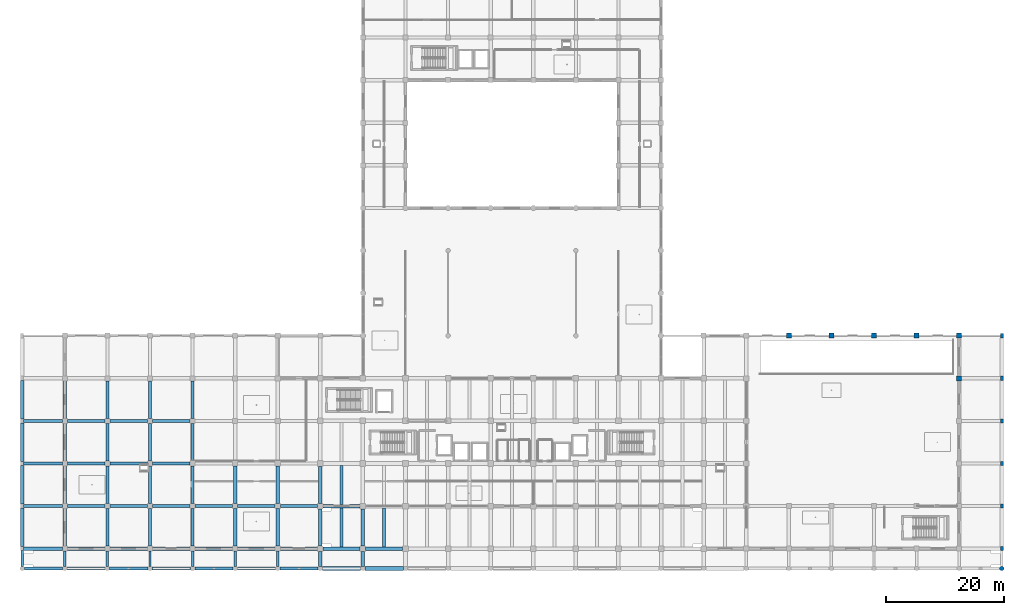
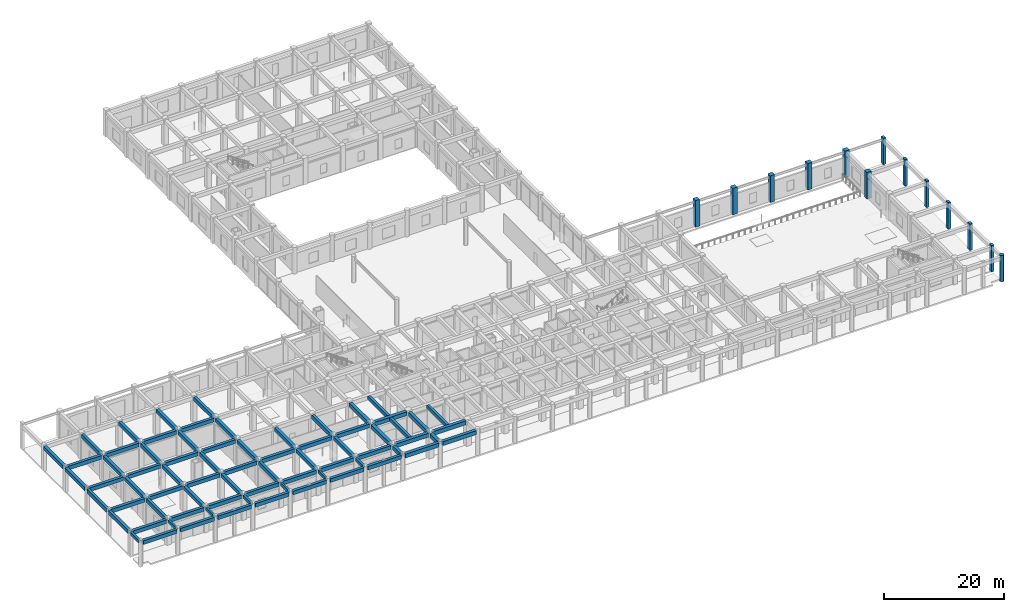
# One storey, part 3 of 56: 73 beams, 13 columns.
"""IFC4 building model written with IfcOpenShell, lengths in metres."""

from ifc_helpers import new_model, si_unit, direction, frame, origin, origin_2d, place, context, subcontext, project, spatial, rectangle, circle, extrude, material, material_profile, profile_set, type_object, element, save


model = new_model("IFC4")

# Units and contexts
model_context = context("Model", 3, precision=1e-05, world=origin(), true_north=direction((0.0, 1.0)))
body_context = subcontext(model_context, "Body", "Model", "MODEL_VIEW")
ifc_project = project(units=[si_unit("LENGTHUNIT", "METRE"), si_unit("AREAUNIT", "SQUARE_METRE"), si_unit("VOLUMEUNIT", "CUBIC_METRE"), si_unit("PLANEANGLEUNIT", "RADIAN"), si_unit("MASSUNIT", "GRAM", prefix="KILO")], contexts=[model_context])

# Site, building, storey
site_placement = place(None, origin())
site = spatial("IfcSite", under=ifc_project, at=site_placement, CompositionType="ELEMENT")
building_placement = place(site_placement, origin())
building = spatial("IfcBuilding", under=site, at=building_placement, Name="Kazehaya Institute of Natural Sciences", CompositionType="ELEMENT")
storey_placement = place(building_placement, origin())
storey = spatial("IfcBuildingStorey", under=building, at=storey_placement, Name="L00", CompositionType="ELEMENT", Elevation=0.0)

# Columns
ifc_material_1 = material(Name="Concrete Fc36", Category="concrete")
ifc_material_profile_1 = material_profile(ifc_material_1, circle(Radius=0.375, at=origin_2d()), Name="RC-DIA750")
ifc_profile_set_1 = profile_set([ifc_material_profile_1], Name="Concrete Fc36")
column_type_1 = type_object("IfcColumnType", Name="COL-DIA750", PredefinedType="COLUMN", material=ifc_profile_set_1)
column_placement = place(storey_placement, frame((169.800048828125, 3.449951171875, 0.0), z_axis=(0.0, 0.0, 1.0), x_axis=(1.0, 0.0, 0.0)))
element("IfcColumn", 1, at=column_placement, inside=storey, type_object=column_type_1, Name="L00 column COL-L00-0264", PredefinedType="COLUMN", context=body_context, shape_type="SweptSolid", body=[
    extrude(circle(Radius=0.375, at=origin_2d()), origin(), (0.0, 0.0, 1.0), 5.39990234375),
])
ifc_material_profile_2 = material_profile(ifc_material_1, rectangle(XDim=0.5, YDim=0.699951171875, at=origin_2d()), Name="RC-700x500")
ifc_profile_set_2 = profile_set([ifc_material_profile_2], Name="Concrete Fc36")
column_type_2 = type_object("IfcColumnType", Name="COL-RC700x500", PredefinedType="COLUMN", material=ifc_profile_set_2)
for number, where, z_axis, x_axis, name in (
    (2, (169.800048828125, 6.800048828125, 0.0), (0.0, 0.0, 1.0), (1.0, 0.0, 0.0), "L00 column COL-L00-0288"),
    (3, (169.800048828125, 14.0, 0.0), (0.0, 0.0, 1.0), (1.0, 0.0, 0.0), "L00 column COL-L00-0312"),
    (4, (169.800048828125, 21.199951171875, 0.0), (0.0, 0.0, 1.0), (1.0, 0.0, 0.0), "L00 column COL-L00-0332"),
    (5, (169.800048828125, 28.39990234375, 0.0), (0.0, 0.0, 1.0), (1.0, 0.0, 0.0), "L00 column COL-L00-0352"),
    (6, (169.800048828125, 35.60009765625, 0.0), (0.0, 0.0, 1.0), (1.0, 0.0, 0.0), "L00 column COL-L00-0372"),
    (7, (169.800048828125, 42.800048828125, 0.0), (0.0, 0.0, 1.0), (1.0, 0.0, 0.0), "L00 column COL-L00-0390"),
):
    element("IfcColumn", number, at=place(storey_placement, frame(where, z_axis=z_axis, x_axis=x_axis)), inside=storey, type_object=column_type_2, Name=name, PredefinedType="COLUMN", context=body_context, shape_type="SweptSolid", body=[
        extrude(rectangle(XDim=0.5, YDim=0.699951171875, at=origin_2d()), origin(), (0.0, 0.0, 1.0), 5.39990234375),
    ])
ifc_material_2 = material(Name="Concrete Fc42", Category="concrete")
ifc_material_profile_3 = material_profile(ifc_material_2, rectangle(XDim=0.85009765625, YDim=0.85009765625, at=origin_2d()), Name="RC-850x850")
ifc_profile_set_3 = profile_set([ifc_material_profile_3], Name="Concrete Fc42")
column_type_3 = type_object("IfcColumnType", Name="COL-RC850", PredefinedType="COLUMN", material=ifc_profile_set_3)
for number, where, z_axis, x_axis, name in (
    (8, (162.60009765625, 35.60009765625, 0.0), (0.0, 0.0, 1.0), (1.0, 0.0, 0.0), "L00 column COL-L00-0371"),
    (9, (133.800048828125, 42.800048828125, 0.0), (0.0, 0.0, 1.0), (1.0, 0.0, 0.0), "L00 column COL-L00-0385"),
    (10, (141.0, 42.800048828125, 0.0), (0.0, 0.0, 1.0), (1.0, 0.0, 0.0), "L00 column COL-L00-0386"),
    (11, (148.199951171875, 42.800048828125, 0.0), (0.0, 0.0, 1.0), (1.0, 0.0, 0.0), "L00 column COL-L00-0387"),
    (12, (155.39990234375, 42.800048828125, 0.0), (0.0, 0.0, 1.0), (1.0, 0.0, 0.0), "L00 column COL-L00-0388"),
    (13, (162.60009765625, 42.800048828125, 0.0), (0.0, 0.0, 1.0), (1.0, 0.0, 0.0), "L00 column COL-L00-0389"),
):
    element("IfcColumn", number, at=place(storey_placement, frame(where, z_axis=z_axis, x_axis=x_axis)), inside=storey, type_object=column_type_3, Name=name, PredefinedType="COLUMN", context=body_context, shape_type="SweptSolid", body=[
        extrude(rectangle(XDim=0.85009765625, YDim=0.85009765625, at=origin_2d()), origin(), (0.0, 0.0, 1.0), 5.39990234375),
    ])

# Beams
ifc_material_profile_4 = material_profile(ifc_material_1, rectangle(XDim=0.39990234375, YDim=0.60009765625, at=origin_2d()), Name="RC-400x600")
ifc_profile_set_4 = profile_set([ifc_material_profile_4], Name="Concrete Fc36")
beam_type_1 = type_object("IfcBeamType", Name="BM-B-400x600", PredefinedType="BEAM", material=ifc_profile_set_4)
beam_1_placement = place(storey_placement, frame((4.199951171875, 3.824951171875, 4.830078125), z_axis=(0.0, 1.0, 0.0), x_axis=(-1.0, 0.0, 0.0)))
element("IfcBeam", 14, at=beam_1_placement, inside=storey, type_object=beam_type_1, Name="L00 primary Y girder BMY-L00-42-34", PredefinedType="BEAM", context=body_context, shape_type="SweptSolid", body=[
    extrude(rectangle(XDim=0.39990234375, YDim=0.60009765625, at=origin_2d()), origin(), (0.0, 0.0, 1.0), 2.625),
])
for number, where, z_axis, x_axis, name in (
    (15, (11.39990234375, 3.824951171875, 4.830078125), (0.0, 1.0, 0.0), (-1.0, 0.0, 0.0), "L00 primary Y girder BMY-L00-114-34"),
    (16, (18.60009765625, 3.824951171875, 4.830078125), (0.0, 1.0, 0.0), (-1.0, 0.0, 0.0), "L00 primary Y girder BMY-L00-186-34"),
    (17, (25.800048828125, 3.824951171875, 4.830078125), (0.0, 1.0, 0.0), (-1.0, 0.0, 0.0), "L00 primary Y girder BMY-L00-258-34"),
    (18, (33.0, 3.824951171875, 4.830078125), (0.0, 1.0, 0.0), (-1.0, 0.0, 0.0), "L00 primary Y girder BMY-L00-330-34"),
    (19, (40.199951171875, 3.824951171875, 4.830078125), (0.0, 1.0, 0.0), (-1.0, 0.0, 0.0), "L00 primary Y girder BMY-L00-402-34"),
    (20, (47.39990234375, 3.824951171875, 4.830078125), (0.0, 1.0, 0.0), (-1.0, 0.0, 0.0), "L00 primary Y girder BMY-L00-474-34"),
):
    element("IfcBeam", number, at=place(storey_placement, frame(where, z_axis=z_axis, x_axis=x_axis)), inside=storey, type_object=beam_type_1, Name=name, PredefinedType="BEAM", context=body_context, shape_type="SweptSolid", body=[
        extrude(rectangle(XDim=0.39990234375, YDim=0.60009765625, at=origin_2d()), origin(), (0.0, 0.0, 1.0), 2.550048828125),
    ])
ifc_material_profile_5 = material_profile(ifc_material_1, rectangle(XDim=0.550048828125, YDim=0.75, at=origin_2d()), Name="RC-550x750")
ifc_profile_set_5 = profile_set([ifc_material_profile_5], Name="Concrete Fc36")
beam_type_2 = type_object("IfcBeamType", Name="BM-G-550x750", PredefinedType="BEAM", material=ifc_profile_set_5)
beam_2_placement = place(storey_placement, frame((4.574951171875, 3.449951171875, 4.7548828125), z_axis=(1.0, 0.0, 0.0), x_axis=(0.0, 1.0, 0.0)))
element("IfcBeam", 21, at=beam_2_placement, inside=storey, type_object=beam_type_2, Name="L00 primary X girder BMX-L00-42-34", PredefinedType="BEAM", context=body_context, shape_type="SweptSolid", body=[
    extrude(rectangle(XDim=0.550048828125, YDim=0.75, at=origin_2d()), origin(), (0.0, 0.0, 1.0), 6.449951171875),
])
beam_3_placement = place(storey_placement, frame((11.77490234375, 3.449951171875, 4.7548828125), z_axis=(1.0, 0.0, 0.0), x_axis=(0.0, 1.0, 0.0)))
element("IfcBeam", 22, at=beam_3_placement, inside=storey, type_object=beam_type_2, Name="L00 primary X girder BMX-L00-114-34", PredefinedType="BEAM", context=body_context, shape_type="SweptSolid", body=[
    extrude(rectangle(XDim=0.550048828125, YDim=0.75, at=origin_2d()), origin(), (0.0, 0.0, 1.0), 6.4501953125),
])
for number, where, z_axis, x_axis, name in (
    (23, (18.97509765625, 3.449951171875, 4.7548828125), (1.0, 0.0, 0.0), (0.0, 1.0, 0.0), "L00 primary X girder BMX-L00-186-34"),
    (24, (26.175048828125, 3.449951171875, 4.7548828125), (1.0, 0.0, 0.0), (0.0, 1.0, 0.0), "L00 primary X girder BMX-L00-258-34"),
    (25, (33.375, 3.449951171875, 4.7548828125), (1.0, 0.0, 0.0), (0.0, 1.0, 0.0), "L00 primary X girder BMX-L00-330-34"),
    (26, (40.574951171875, 3.449951171875, 4.7548828125), (1.0, 0.0, 0.0), (0.0, 1.0, 0.0), "L00 primary X girder BMX-L00-402-34"),
):
    element("IfcBeam", number, at=place(storey_placement, frame(where, z_axis=z_axis, x_axis=x_axis)), inside=storey, type_object=beam_type_2, Name=name, PredefinedType="BEAM", context=body_context, shape_type="SweptSolid", body=[
        extrude(rectangle(XDim=0.550048828125, YDim=0.75, at=origin_2d()), origin(), (0.0, 0.0, 1.0), 6.449951171875),
    ])
beam_4_placement = place(storey_placement, frame((47.77490234375, 3.449951171875, 4.7548828125), z_axis=(1.0, 0.0, 0.0), x_axis=(0.0, 1.0, 0.0)))
element("IfcBeam", 27, at=beam_4_placement, inside=storey, type_object=beam_type_2, Name="L00 primary X girder BMX-L00-474-34", PredefinedType="BEAM", context=body_context, shape_type="SweptSolid", body=[
    extrude(rectangle(XDim=0.550048828125, YDim=0.75, at=origin_2d()), origin(), (0.0, 0.0, 1.0), 6.4501953125),
])
beam_5_placement = place(storey_placement, frame((4.449951171875, 6.800048828125, 4.7548828125), z_axis=(1.0, 0.0, 0.0), x_axis=(0.0, 1.0, 0.0)))
element("IfcBeam", 28, at=beam_5_placement, inside=storey, type_object=beam_type_2, Name="L00 primary X girder BMX-L00-42-68", PredefinedType="BEAM", context=body_context, shape_type="SweptSolid", body=[
    extrude(rectangle(XDim=0.550048828125, YDim=0.75, at=origin_2d()), origin(), (0.0, 0.0, 1.0), 6.525146484375),
])
for number, where, z_axis, x_axis, name in (
    (29, (11.824951171875, 6.800048828125, 4.7548828125), (1.0, 0.0, 0.0), (0.0, 1.0, 0.0), "L00 primary X girder BMX-L00-114-68"),
    (30, (19.02490234375, 6.800048828125, 4.7548828125), (1.0, 0.0, 0.0), (0.0, 1.0, 0.0), "L00 primary X girder BMX-L00-186-68"),
):
    element("IfcBeam", number, at=place(storey_placement, frame(where, z_axis=z_axis, x_axis=x_axis)), inside=storey, type_object=beam_type_2, Name=name, PredefinedType="BEAM", context=body_context, shape_type="SweptSolid", body=[
        extrude(rectangle(XDim=0.550048828125, YDim=0.75, at=origin_2d()), origin(), (0.0, 0.0, 1.0), 6.35009765625),
    ])
for number, where, z_axis, x_axis, name in (
    (31, (26.22509765625, 6.800048828125, 4.7548828125), (1.0, 0.0, 0.0), (0.0, 1.0, 0.0), "L00 primary X girder BMX-L00-258-68"),
    (32, (33.425048828125, 6.800048828125, 4.7548828125), (1.0, 0.0, 0.0), (0.0, 1.0, 0.0), "L00 primary X girder BMX-L00-330-68"),
):
    element("IfcBeam", number, at=place(storey_placement, frame(where, z_axis=z_axis, x_axis=x_axis)), inside=storey, type_object=beam_type_2, Name=name, PredefinedType="BEAM", context=body_context, shape_type="SweptSolid", body=[
        extrude(rectangle(XDim=0.550048828125, YDim=0.75, at=origin_2d()), origin(), (0.0, 0.0, 1.0), 6.349853515625),
    ])
beam_6_placement = place(storey_placement, frame((40.625, 6.800048828125, 4.7548828125), z_axis=(1.0, 0.0, 0.0), x_axis=(0.0, 1.0, 0.0)))
element("IfcBeam", 33, at=beam_6_placement, inside=storey, type_object=beam_type_2, Name="L00 primary X girder BMX-L00-402-68", PredefinedType="BEAM", context=body_context, shape_type="SweptSolid", body=[
    extrude(rectangle(XDim=0.550048828125, YDim=0.75, at=origin_2d()), origin(), (0.0, 0.0, 1.0), 6.35009765625),
])
beam_7_placement = place(storey_placement, frame((47.824951171875, 6.800048828125, 4.7548828125), z_axis=(1.0, 0.0, 0.0), x_axis=(0.0, 1.0, 0.0)))
element("IfcBeam", 34, at=beam_7_placement, inside=storey, type_object=beam_type_2, Name="L00 primary X girder BMX-L00-474-68", PredefinedType="BEAM", context=body_context, shape_type="SweptSolid", body=[
    extrude(rectangle(XDim=0.550048828125, YDim=0.75, at=origin_2d()), origin(), (0.0, 0.0, 1.0), 6.300048828125),
])
beam_8_placement = place(storey_placement, frame((4.449951171875, 14.0, 4.7548828125), z_axis=(1.0, 0.0, 0.0), x_axis=(0.0, 1.0, 0.0)))
element("IfcBeam", 35, at=beam_8_placement, inside=storey, type_object=beam_type_2, Name="L00 primary X girder BMX-L00-42-140", PredefinedType="BEAM", context=body_context, shape_type="SweptSolid", body=[
    extrude(rectangle(XDim=0.550048828125, YDim=0.75, at=origin_2d()), origin(), (0.0, 0.0, 1.0), 6.525146484375),
])
for number, where, z_axis, x_axis, name in (
    (36, (11.824951171875, 14.0, 4.7548828125), (1.0, 0.0, 0.0), (0.0, 1.0, 0.0), "L00 primary X girder BMX-L00-114-140"),
    (37, (19.02490234375, 14.0, 4.7548828125), (1.0, 0.0, 0.0), (0.0, 1.0, 0.0), "L00 primary X girder BMX-L00-186-140"),
):
    element("IfcBeam", number, at=place(storey_placement, frame(where, z_axis=z_axis, x_axis=x_axis)), inside=storey, type_object=beam_type_2, Name=name, PredefinedType="BEAM", context=body_context, shape_type="SweptSolid", body=[
        extrude(rectangle(XDim=0.550048828125, YDim=0.75, at=origin_2d()), origin(), (0.0, 0.0, 1.0), 6.35009765625),
    ])
for number, where, z_axis, x_axis, name in (
    (38, (26.22509765625, 14.0, 4.7548828125), (1.0, 0.0, 0.0), (0.0, 1.0, 0.0), "L00 primary X girder BMX-L00-258-140"),
    (39, (33.425048828125, 14.0, 4.7548828125), (1.0, 0.0, 0.0), (0.0, 1.0, 0.0), "L00 primary X girder BMX-L00-330-140"),
):
    element("IfcBeam", number, at=place(storey_placement, frame(where, z_axis=z_axis, x_axis=x_axis)), inside=storey, type_object=beam_type_2, Name=name, PredefinedType="BEAM", context=body_context, shape_type="SweptSolid", body=[
        extrude(rectangle(XDim=0.550048828125, YDim=0.75, at=origin_2d()), origin(), (0.0, 0.0, 1.0), 6.349853515625),
    ])
beam_9_placement = place(storey_placement, frame((40.625, 14.0, 4.7548828125), z_axis=(1.0, 0.0, 0.0), x_axis=(0.0, 1.0, 0.0)))
element("IfcBeam", 40, at=beam_9_placement, inside=storey, type_object=beam_type_2, Name="L00 primary X girder BMX-L00-402-140", PredefinedType="BEAM", context=body_context, shape_type="SweptSolid", body=[
    extrude(rectangle(XDim=0.550048828125, YDim=0.75, at=origin_2d()), origin(), (0.0, 0.0, 1.0), 6.35009765625),
])
beam_10_placement = place(storey_placement, frame((47.824951171875, 14.0, 4.7548828125), z_axis=(1.0, 0.0, 0.0), x_axis=(0.0, 1.0, 0.0)))
element("IfcBeam", 41, at=beam_10_placement, inside=storey, type_object=beam_type_2, Name="L00 primary X girder BMX-L00-474-140", PredefinedType="BEAM", context=body_context, shape_type="SweptSolid", body=[
    extrude(rectangle(XDim=0.550048828125, YDim=0.75, at=origin_2d()), origin(), (0.0, 0.0, 1.0), 6.300048828125),
])
beam_11_placement = place(storey_placement, frame((4.449951171875, 21.199951171875, 4.7548828125), z_axis=(1.0, 0.0, 0.0), x_axis=(0.0, 1.0, 0.0)))
element("IfcBeam", 42, at=beam_11_placement, inside=storey, type_object=beam_type_2, Name="L00 primary X girder BMX-L00-42-212", PredefinedType="BEAM", context=body_context, shape_type="SweptSolid", body=[
    extrude(rectangle(XDim=0.550048828125, YDim=0.75, at=origin_2d()), origin(), (0.0, 0.0, 1.0), 6.525146484375),
])
for number, where, z_axis, x_axis, name in (
    (43, (11.824951171875, 21.199951171875, 4.7548828125), (1.0, 0.0, 0.0), (0.0, 1.0, 0.0), "L00 primary X girder BMX-L00-114-212"),
    (44, (19.02490234375, 21.199951171875, 4.7548828125), (1.0, 0.0, 0.0), (0.0, 1.0, 0.0), "L00 primary X girder BMX-L00-186-212"),
):
    element("IfcBeam", number, at=place(storey_placement, frame(where, z_axis=z_axis, x_axis=x_axis)), inside=storey, type_object=beam_type_2, Name=name, PredefinedType="BEAM", context=body_context, shape_type="SweptSolid", body=[
        extrude(rectangle(XDim=0.550048828125, YDim=0.75, at=origin_2d()), origin(), (0.0, 0.0, 1.0), 6.35009765625),
    ])
beam_12_placement = place(storey_placement, frame((26.22509765625, 21.199951171875, 4.7548828125), z_axis=(1.0, 0.0, 0.0), x_axis=(0.0, 1.0, 0.0)))
element("IfcBeam", 45, at=beam_12_placement, inside=storey, type_object=beam_type_2, Name="L00 primary X girder BMX-L00-258-212", PredefinedType="BEAM", context=body_context, shape_type="SweptSolid", body=[
    extrude(rectangle(XDim=0.550048828125, YDim=0.75, at=origin_2d()), origin(), (0.0, 0.0, 1.0), 6.349853515625),
])
beam_13_placement = place(storey_placement, frame((4.449951171875, 28.39990234375, 4.7548828125), z_axis=(1.0, 0.0, 0.0), x_axis=(0.0, 1.0, 0.0)))
element("IfcBeam", 46, at=beam_13_placement, inside=storey, type_object=beam_type_2, Name="L00 primary X girder BMX-L00-42-284", PredefinedType="BEAM", context=body_context, shape_type="SweptSolid", body=[
    extrude(rectangle(XDim=0.550048828125, YDim=0.75, at=origin_2d()), origin(), (0.0, 0.0, 1.0), 6.525146484375),
])
for number, where, z_axis, x_axis, name in (
    (47, (11.824951171875, 28.39990234375, 4.7548828125), (1.0, 0.0, 0.0), (0.0, 1.0, 0.0), "L00 primary X girder BMX-L00-114-284"),
    (48, (19.02490234375, 28.39990234375, 4.7548828125), (1.0, 0.0, 0.0), (0.0, 1.0, 0.0), "L00 primary X girder BMX-L00-186-284"),
):
    element("IfcBeam", number, at=place(storey_placement, frame(where, z_axis=z_axis, x_axis=x_axis)), inside=storey, type_object=beam_type_2, Name=name, PredefinedType="BEAM", context=body_context, shape_type="SweptSolid", body=[
        extrude(rectangle(XDim=0.550048828125, YDim=0.75, at=origin_2d()), origin(), (0.0, 0.0, 1.0), 6.35009765625),
    ])
beam_14_placement = place(storey_placement, frame((26.22509765625, 28.39990234375, 4.7548828125), z_axis=(1.0, 0.0, 0.0), x_axis=(0.0, 1.0, 0.0)))
element("IfcBeam", 49, at=beam_14_placement, inside=storey, type_object=beam_type_2, Name="L00 primary X girder BMX-L00-258-284", PredefinedType="BEAM", context=body_context, shape_type="SweptSolid", body=[
    extrude(rectangle(XDim=0.550048828125, YDim=0.75, at=origin_2d()), origin(), (0.0, 0.0, 1.0), 6.349853515625),
])
for number, where, z_axis, x_axis, name in (
    (50, (4.199951171875, 7.14990234375, 4.7548828125), (0.0, 1.0, 0.0), (-1.0, 0.0, 0.0), "L00 primary Y girder BMY-L00-42-68"),
    (51, (4.199951171875, 14.35009765625, 4.7548828125), (0.0, 1.0, 0.0), (-1.0, 0.0, 0.0), "L00 primary Y girder BMY-L00-42-140"),
    (52, (4.199951171875, 21.550048828125, 4.7548828125), (0.0, 1.0, 0.0), (-1.0, 0.0, 0.0), "L00 primary Y girder BMY-L00-42-212"),
    (53, (4.199951171875, 28.75, 4.7548828125), (0.0, 1.0, 0.0), (-1.0, 0.0, 0.0), "L00 primary Y girder BMY-L00-42-284"),
):
    element("IfcBeam", number, at=place(storey_placement, frame(where, z_axis=z_axis, x_axis=x_axis)), inside=storey, type_object=beam_type_2, Name=name, PredefinedType="BEAM", context=body_context, shape_type="SweptSolid", body=[
        extrude(rectangle(XDim=0.550048828125, YDim=0.75, at=origin_2d()), origin(), (0.0, 0.0, 1.0), 6.5),
    ])
for number, where, z_axis, x_axis, name in (
    (54, (11.39990234375, 7.22509765625, 4.7548828125), (0.0, 1.0, 0.0), (-1.0, 0.0, 0.0), "L00 primary Y girder BMY-L00-114-68"),
    (55, (11.39990234375, 14.425048828125, 4.7548828125), (0.0, 1.0, 0.0), (-1.0, 0.0, 0.0), "L00 primary Y girder BMY-L00-114-140"),
):
    element("IfcBeam", number, at=place(storey_placement, frame(where, z_axis=z_axis, x_axis=x_axis)), inside=storey, type_object=beam_type_2, Name=name, PredefinedType="BEAM", context=body_context, shape_type="SweptSolid", body=[
        extrude(rectangle(XDim=0.550048828125, YDim=0.75, at=origin_2d()), origin(), (0.0, 0.0, 1.0), 6.349853515625),
    ])
for number, where, z_axis, x_axis, name in (
    (56, (11.39990234375, 21.625, 4.7548828125), (0.0, 1.0, 0.0), (-1.0, 0.0, 0.0), "L00 primary Y girder BMY-L00-114-212"),
    (57, (11.39990234375, 28.824951171875, 4.7548828125), (0.0, 1.0, 0.0), (-1.0, 0.0, 0.0), "L00 primary Y girder BMY-L00-114-284"),
):
    element("IfcBeam", number, at=place(storey_placement, frame(where, z_axis=z_axis, x_axis=x_axis)), inside=storey, type_object=beam_type_2, Name=name, PredefinedType="BEAM", context=body_context, shape_type="SweptSolid", body=[
        extrude(rectangle(XDim=0.550048828125, YDim=0.75, at=origin_2d()), origin(), (0.0, 0.0, 1.0), 6.35009765625),
    ])
for number, where, z_axis, x_axis, name in (
    (58, (18.60009765625, 7.22509765625, 4.7548828125), (0.0, 1.0, 0.0), (-1.0, 0.0, 0.0), "L00 primary Y girder BMY-L00-186-68"),
    (59, (18.60009765625, 14.425048828125, 4.7548828125), (0.0, 1.0, 0.0), (-1.0, 0.0, 0.0), "L00 primary Y girder BMY-L00-186-140"),
):
    element("IfcBeam", number, at=place(storey_placement, frame(where, z_axis=z_axis, x_axis=x_axis)), inside=storey, type_object=beam_type_2, Name=name, PredefinedType="BEAM", context=body_context, shape_type="SweptSolid", body=[
        extrude(rectangle(XDim=0.550048828125, YDim=0.75, at=origin_2d()), origin(), (0.0, 0.0, 1.0), 6.349853515625),
    ])
for number, where, z_axis, x_axis, name in (
    (60, (18.60009765625, 21.625, 4.7548828125), (0.0, 1.0, 0.0), (-1.0, 0.0, 0.0), "L00 primary Y girder BMY-L00-186-212"),
    (61, (18.60009765625, 28.824951171875, 4.7548828125), (0.0, 1.0, 0.0), (-1.0, 0.0, 0.0), "L00 primary Y girder BMY-L00-186-284"),
):
    element("IfcBeam", number, at=place(storey_placement, frame(where, z_axis=z_axis, x_axis=x_axis)), inside=storey, type_object=beam_type_2, Name=name, PredefinedType="BEAM", context=body_context, shape_type="SweptSolid", body=[
        extrude(rectangle(XDim=0.550048828125, YDim=0.75, at=origin_2d()), origin(), (0.0, 0.0, 1.0), 6.35009765625),
    ])
for number, where, z_axis, x_axis, name in (
    (62, (25.800048828125, 7.22509765625, 4.7548828125), (0.0, 1.0, 0.0), (-1.0, 0.0, 0.0), "L00 primary Y girder BMY-L00-258-68"),
    (63, (25.800048828125, 14.425048828125, 4.7548828125), (0.0, 1.0, 0.0), (-1.0, 0.0, 0.0), "L00 primary Y girder BMY-L00-258-140"),
):
    element("IfcBeam", number, at=place(storey_placement, frame(where, z_axis=z_axis, x_axis=x_axis)), inside=storey, type_object=beam_type_2, Name=name, PredefinedType="BEAM", context=body_context, shape_type="SweptSolid", body=[
        extrude(rectangle(XDim=0.550048828125, YDim=0.75, at=origin_2d()), origin(), (0.0, 0.0, 1.0), 6.349853515625),
    ])
for number, where, z_axis, x_axis, name in (
    (64, (25.800048828125, 21.625, 4.7548828125), (0.0, 1.0, 0.0), (-1.0, 0.0, 0.0), "L00 primary Y girder BMY-L00-258-212"),
    (65, (25.800048828125, 28.824951171875, 4.7548828125), (0.0, 1.0, 0.0), (-1.0, 0.0, 0.0), "L00 primary Y girder BMY-L00-258-284"),
):
    element("IfcBeam", number, at=place(storey_placement, frame(where, z_axis=z_axis, x_axis=x_axis)), inside=storey, type_object=beam_type_2, Name=name, PredefinedType="BEAM", context=body_context, shape_type="SweptSolid", body=[
        extrude(rectangle(XDim=0.550048828125, YDim=0.75, at=origin_2d()), origin(), (0.0, 0.0, 1.0), 6.35009765625),
    ])
for number, where, z_axis, x_axis, name in (
    (66, (33.0, 7.22509765625, 4.7548828125), (0.0, 1.0, 0.0), (-1.0, 0.0, 0.0), "L00 primary Y girder BMY-L00-330-68"),
    (67, (33.0, 14.425048828125, 4.7548828125), (0.0, 1.0, 0.0), (-1.0, 0.0, 0.0), "L00 primary Y girder BMY-L00-330-140"),
):
    element("IfcBeam", number, at=place(storey_placement, frame(where, z_axis=z_axis, x_axis=x_axis)), inside=storey, type_object=beam_type_2, Name=name, PredefinedType="BEAM", context=body_context, shape_type="SweptSolid", body=[
        extrude(rectangle(XDim=0.550048828125, YDim=0.75, at=origin_2d()), origin(), (0.0, 0.0, 1.0), 6.349853515625),
    ])
for number, where, z_axis, x_axis, name in (
    (68, (33.0, 21.625, 4.7548828125), (0.0, 1.0, 0.0), (-1.0, 0.0, 0.0), "L00 primary Y girder BMY-L00-330-212"),
    (69, (33.0, 28.824951171875, 4.7548828125), (0.0, 1.0, 0.0), (-1.0, 0.0, 0.0), "L00 primary Y girder BMY-L00-330-284"),
):
    element("IfcBeam", number, at=place(storey_placement, frame(where, z_axis=z_axis, x_axis=x_axis)), inside=storey, type_object=beam_type_2, Name=name, PredefinedType="BEAM", context=body_context, shape_type="SweptSolid", body=[
        extrude(rectangle(XDim=0.550048828125, YDim=0.75, at=origin_2d()), origin(), (0.0, 0.0, 1.0), 6.35009765625),
    ])
for number, where, z_axis, x_axis, name in (
    (70, (40.199951171875, 7.22509765625, 4.7548828125), (0.0, 1.0, 0.0), (-1.0, 0.0, 0.0), "L00 primary Y girder BMY-L00-402-68"),
    (71, (40.199951171875, 14.425048828125, 4.7548828125), (0.0, 1.0, 0.0), (-1.0, 0.0, 0.0), "L00 primary Y girder BMY-L00-402-140"),
    (72, (47.39990234375, 7.22509765625, 4.7548828125), (0.0, 1.0, 0.0), (-1.0, 0.0, 0.0), "L00 primary Y girder BMY-L00-474-68"),
    (73, (47.39990234375, 14.425048828125, 4.7548828125), (0.0, 1.0, 0.0), (-1.0, 0.0, 0.0), "L00 primary Y girder BMY-L00-474-140"),
):
    element("IfcBeam", number, at=place(storey_placement, frame(where, z_axis=z_axis, x_axis=x_axis)), inside=storey, type_object=beam_type_2, Name=name, PredefinedType="BEAM", context=body_context, shape_type="SweptSolid", body=[
        extrude(rectangle(XDim=0.550048828125, YDim=0.75, at=origin_2d()), origin(), (0.0, 0.0, 1.0), 6.349853515625),
    ])
ifc_material_profile_6 = material_profile(ifc_material_1, rectangle(XDim=0.60009765625, YDim=0.800048828125, at=origin_2d()), Name="RC-600x800")
ifc_profile_set_6 = profile_set([ifc_material_profile_6], Name="Concrete Fc36")
beam_type_3 = type_object("IfcBeamType", Name="BM-G-600x800", PredefinedType="BEAM", material=ifc_profile_set_6)
for number, where, z_axis, x_axis, name in (
    (74, (54.97509765625, 3.449951171875, 4.72998046875), (1.0, 0.0, 0.0), (0.0, 1.0, 0.0), "L00 primary X girder BMX-L00-546-34"),
    (75, (62.175048828125, 3.449951171875, 4.72998046875), (1.0, 0.0, 0.0), (0.0, 1.0, 0.0), "L00 primary X girder BMX-L00-618-34"),
):
    element("IfcBeam", number, at=place(storey_placement, frame(where, z_axis=z_axis, x_axis=x_axis)), inside=storey, type_object=beam_type_3, Name=name, PredefinedType="BEAM", context=body_context, shape_type="SweptSolid", body=[
        extrude(rectangle(XDim=0.60009765625, YDim=0.800048828125, at=origin_2d()), origin(), (0.0, 0.0, 1.0), 6.449951171875),
    ])
for number, where, z_axis, x_axis, name in (
    (76, (55.074951171875, 6.800048828125, 4.72998046875), (1.0, 0.0, 0.0), (0.0, 1.0, 0.0), "L00 primary X girder BMX-L00-546-68"),
    (77, (62.27490234375, 6.800048828125, 4.72998046875), (1.0, 0.0, 0.0), (0.0, 1.0, 0.0), "L00 primary X girder BMX-L00-618-68"),
    (78, (55.074951171875, 14.0, 4.72998046875), (1.0, 0.0, 0.0), (0.0, 1.0, 0.0), "L00 primary X girder BMX-L00-546-140"),
):
    element("IfcBeam", number, at=place(storey_placement, frame(where, z_axis=z_axis, x_axis=x_axis)), inside=storey, type_object=beam_type_3, Name=name, PredefinedType="BEAM", context=body_context, shape_type="SweptSolid", body=[
        extrude(rectangle(XDim=0.60009765625, YDim=0.800048828125, at=origin_2d()), origin(), (0.0, 0.0, 1.0), 6.25),
    ])
beam_15_placement = place(storey_placement, frame((54.60009765625, 3.824951171875, 4.72998046875), z_axis=(0.0, 1.0, 0.0), x_axis=(-1.0, 0.0, 0.0)))
element("IfcBeam", 79, at=beam_15_placement, inside=storey, type_object=beam_type_3, Name="L00 primary Y girder BMY-L00-546-34", PredefinedType="BEAM", context=body_context, shape_type="SweptSolid", body=[
    extrude(rectangle(XDim=0.60009765625, YDim=0.800048828125, at=origin_2d()), origin(), (0.0, 0.0, 1.0), 2.5),
])
for number, where, z_axis, x_axis, name in (
    (80, (54.60009765625, 7.27490234375, 4.72998046875), (0.0, 1.0, 0.0), (-1.0, 0.0, 0.0), "L00 primary Y girder BMY-L00-546-68"),
    (81, (54.60009765625, 14.47509765625, 4.72998046875), (0.0, 1.0, 0.0), (-1.0, 0.0, 0.0), "L00 primary Y girder BMY-L00-546-140"),
):
    element("IfcBeam", number, at=place(storey_placement, frame(where, z_axis=z_axis, x_axis=x_axis)), inside=storey, type_object=beam_type_3, Name=name, PredefinedType="BEAM", context=body_context, shape_type="SweptSolid", body=[
        extrude(rectangle(XDim=0.60009765625, YDim=0.800048828125, at=origin_2d()), origin(), (0.0, 0.0, 1.0), 6.25),
    ])
beam_16_placement = place(storey_placement, frame((61.800048828125, 3.824951171875, 4.72998046875), z_axis=(0.0, 1.0, 0.0), x_axis=(-1.0, 0.0, 0.0)))
element("IfcBeam", 82, at=beam_16_placement, inside=storey, type_object=beam_type_3, Name="L00 primary Y girder BMY-L00-618-34", PredefinedType="BEAM", context=body_context, shape_type="SweptSolid", body=[
    extrude(rectangle(XDim=0.60009765625, YDim=0.800048828125, at=origin_2d()), origin(), (0.0, 0.0, 1.0), 2.5),
])
beam_17_placement = place(storey_placement, frame((61.800048828125, 7.27490234375, 4.72998046875), z_axis=(0.0, 1.0, 0.0), x_axis=(-1.0, 0.0, 0.0)))
element("IfcBeam", 83, at=beam_17_placement, inside=storey, type_object=beam_type_3, Name="L00 primary Y girder BMY-L00-618-68", PredefinedType="BEAM", context=body_context, shape_type="SweptSolid", body=[
    extrude(rectangle(XDim=0.60009765625, YDim=0.800048828125, at=origin_2d()), origin(), (0.0, 0.0, 1.0), 6.25),
])
ifc_material_profile_7 = material_profile(ifc_material_1, rectangle(XDim=0.5, YDim=0.699951171875, at=origin_2d()), Name="RC-500x700")
ifc_profile_set_7 = profile_set([ifc_material_profile_7], Name="Concrete Fc36")
beam_type_4 = type_object("IfcBeamType", Name="BM-J-500x700", PredefinedType="JOIST", material=ifc_profile_set_7)
for number, where, z_axis, x_axis, name in (
    (84, (58.199951171875, 7.10009765625, 4.780029296875), (0.0, 1.0, 0.0), (-1.0, 0.0, 0.0), "L00 secondary lab beam JST-L00-0001"),
    (85, (65.39990234375, 7.10009765625, 4.780029296875), (0.0, 1.0, 0.0), (-1.0, 0.0, 0.0), "L00 secondary lab beam JST-L00-0002"),
    (86, (58.199951171875, 14.300048828125, 4.780029296875), (0.0, 1.0, 0.0), (-1.0, 0.0, 0.0), "L00 secondary lab beam JST-L00-0011"),
):
    element("IfcBeam", number, at=place(storey_placement, frame(where, z_axis=z_axis, x_axis=x_axis)), inside=storey, type_object=beam_type_4, Name=name, PredefinedType="JOIST", context=body_context, shape_type="SweptSolid", body=[
        extrude(rectangle(XDim=0.5, YDim=0.699951171875, at=origin_2d()), origin(), (0.0, 0.0, 1.0), 6.599853515625),
    ])

save(model, "model.ifc")
